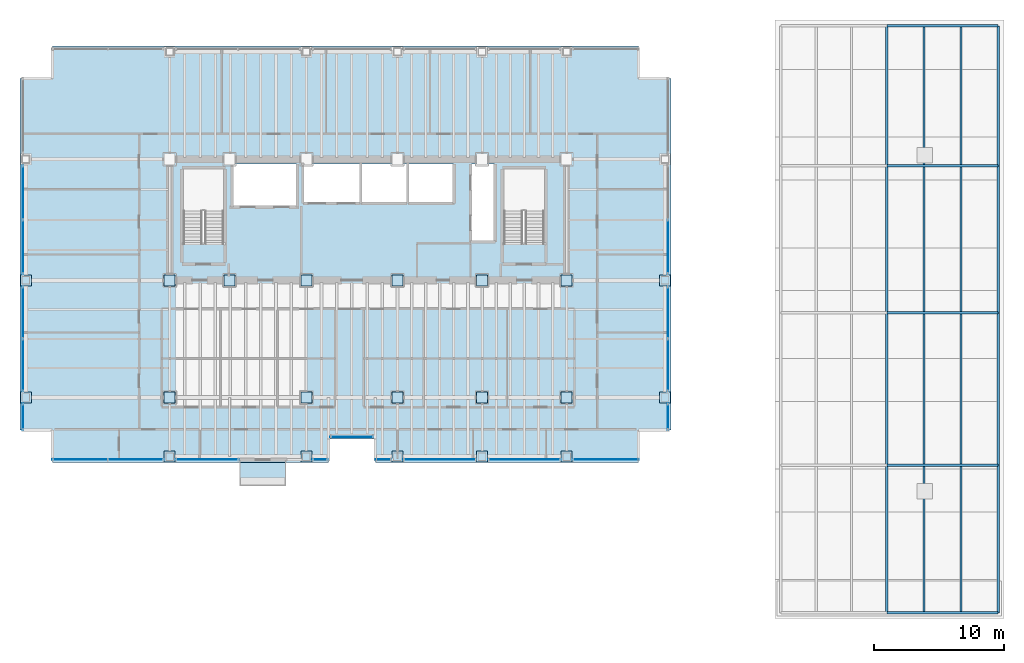
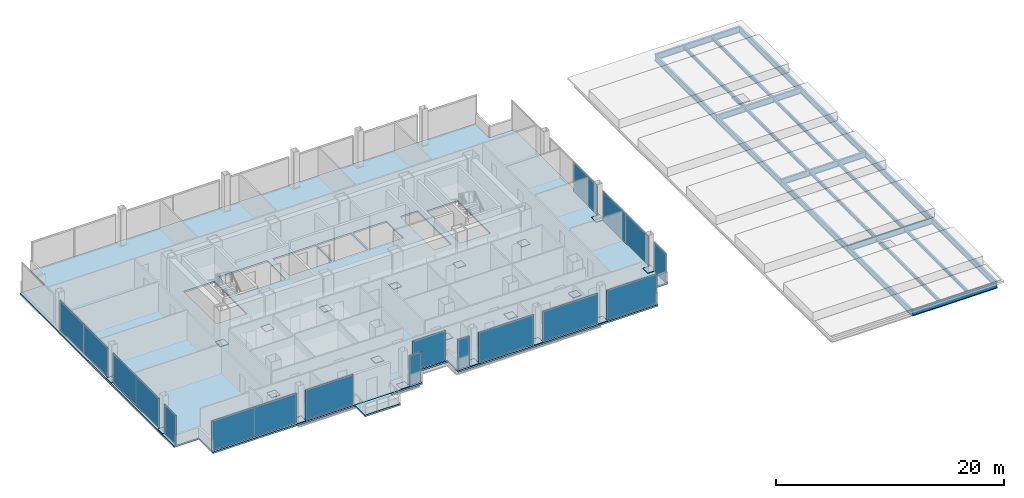
# One storey, part 23 of 30: 38 plates, 21 beams, 2 slabs, 7 openings, 14 elements without a shape of their own.
"""IFC4 building model written with IfcOpenShell, lengths in metres."""

import ifcopenshell
import ifcopenshell.guid

model = None  # the IFC model being written
_history = None  # IfcOwnerHistory: only IFC2X3 demands one
_inside = {}  # id of a spatial element -> (the spatial element, [elements in it])
_under = {}  # id of a project, library or spatial element -> (it, [spatial elements below it])
_declared = {}  # id of a project -> (the project, [libraries it declares])
_typed = {}  # id of a type object -> (the type object, [elements of that type])
_made_of = {}  # id of a material, layer set ... -> (it, [elements and type objects made of it])


def new_model(schema):
    """Start an empty IFC model of exactly this schema.

    Asked for "IFC4X3", IfcOpenShell would pick the latest addendum, in which some entities
    have other attributes; the version numbers below select the first issue.
    IFC2X3 requires an IfcOwnerHistory on every rooted entity: one is made here for all.
    """
    global model, _history
    if schema == "IFC4X3":
        model = ifcopenshell.file(schema_version=(4, 3, 0, 0))
    else:
        model = ifcopenshell.file(schema=schema)
    _inside.clear()
    _under.clear()
    _declared.clear()
    _typed.clear()
    _made_of.clear()
    _history = None
    if model.schema == "IFC2X3":
        org = make("IfcOrganization", Name="unknown")
        user = make(
            "IfcPersonAndOrganization",
            ThePerson=make("IfcPerson", FamilyName="unknown"),
            TheOrganization=org,
        )
        app = make(
            "IfcApplication",
            ApplicationDeveloper=org,
            Version="unknown",
            ApplicationFullName="unknown",
            ApplicationIdentifier="unknown",
        )
        _history = make(
            "IfcOwnerHistory",
            OwningUser=user,
            OwningApplication=app,
            ChangeAction="ADDED",
            CreationDate=0,
        )
    return model


def make(cls, **values):
    """One entity of the class cls with the attributes given. An attribute that is None is left unset."""
    return model.create_entity(
        cls, **{name: value for name, value in values.items() if value is not None}
    )


def rooted(cls, **values):
    """An entity with a GlobalId (a new one), such as an element, a storey or a relation."""
    return make(cls, GlobalId=ifcopenshell.guid.new(), OwnerHistory=_history, **values)


def si_unit(unit_type, name, prefix=None):
    """IfcSIUnit, for example si_unit("LENGTHUNIT", "METRE", prefix="MILLI")."""
    return make("IfcSIUnit", UnitType=unit_type, Prefix=prefix, Name=name)


def assignment(units):
    """IfcUnitAssignment: the units of a project."""
    return None if units is None else make("IfcUnitAssignment", Units=units)


def point(xyz):
    """IfcCartesianPoint."""
    return None if xyz is None else make("IfcCartesianPoint", Coordinates=xyz)


def direction(xyz):
    """IfcDirection."""
    return None if xyz is None else make("IfcDirection", DirectionRatios=xyz)


def frame(location, z_axis=None, x_axis=None):
    """IfcAxis2Placement3D, a coordinate frame: its origin and axes. An axis left out is left unset."""
    return make(
        "IfcAxis2Placement3D",
        Location=point(location),
        Axis=direction(z_axis),
        RefDirection=direction(x_axis),
    )


def frame_2d(location, x_axis=None):
    """IfcAxis2Placement2D, a coordinate frame in the plane: its origin and x axis."""
    return make(
        "IfcAxis2Placement2D", Location=point(location), RefDirection=direction(x_axis)
    )


def origin():
    """The frame at (0, 0, 0) with its axes left unset."""
    return frame((0.0, 0.0, 0.0))


def origin_2d():
    """The frame at (0, 0) in the plane with its x axis left unset."""
    return frame_2d((0.0, 0.0))


def place(relative_to, where):
    """IfcLocalPlacement: puts the frame where relative to a parent placement (None: the world)."""
    return make(
        "IfcLocalPlacement", PlacementRelTo=relative_to, RelativePlacement=where
    )


def context(
    kind, dimensions, precision=None, world=None, true_north=None, identifier=None
):
    """IfcGeometricRepresentationContext, for example the 3D "Model" context."""
    return make(
        "IfcGeometricRepresentationContext",
        ContextIdentifier=identifier,
        ContextType=kind,
        CoordinateSpaceDimension=dimensions,
        Precision=precision,
        WorldCoordinateSystem=world,
        TrueNorth=true_north,
    )


def subcontext(parent, identifier, kind, view, scale=None):
    """IfcGeometricRepresentationSubContext, for example "Body" below "Model"."""
    return make(
        "IfcGeometricRepresentationSubContext",
        ContextIdentifier=identifier,
        ContextType=kind,
        ParentContext=parent,
        TargetScale=scale,
        TargetView=view,
    )


def project(units=None, contexts=None):
    """IfcProject with its units and contexts."""
    return rooted(
        "IfcProject",
        Name="project",
        RepresentationContexts=contexts,
        UnitsInContext=assignment(units),
    )


def spatial(cls, under=None, at=None, **own):
    """A site, building, storey or space (cls), placed at a placement, below another one or the project."""
    s = rooted(cls, ObjectPlacement=at, **own)
    if under is not None:
        _under.setdefault(under.id(), (under, []))[1].append(s)
    return s


def polyline(points):
    """IfcPolyline through the points."""
    return make("IfcPolyline", Points=[point(p) for p in points])


def profile(cls, at=None, kind="AREA", **sizes):
    """A parametric profile (cls). Its sizes go by their IFC names, for example OverallWidth=200.0."""
    return make(cls, ProfileType=kind, Position=at, **sizes)


def rectangle(**sizes):
    """IfcRectangleProfileDef."""
    return profile("IfcRectangleProfileDef", **sizes)


def i_section(**sizes):
    """IfcIShapeProfileDef."""
    return profile("IfcIShapeProfileDef", **sizes)


def outline(outer, holes=None, kind="AREA"):
    """IfcArbitraryClosedProfileDef: a profile drawn as a closed curve; with holes, ...WithVoids."""
    if holes is None:
        return make("IfcArbitraryClosedProfileDef", ProfileType=kind, OuterCurve=outer)
    return make(
        "IfcArbitraryProfileDefWithVoids",
        ProfileType=kind,
        OuterCurve=outer,
        InnerCurves=holes,
    )


def extrude(swept, where, along, depth):
    """IfcExtrudedAreaSolid: the profile swept, set in the frame where, extruded along a direction by depth."""
    return make(
        "IfcExtrudedAreaSolid",
        SweptArea=swept,
        Position=where,
        ExtrudedDirection=direction(along),
        Depth=depth,
    )


def shape(context_of_items, identifier, shape_type, items):
    """IfcShapeRepresentation: the items that make up one representation, for example the "Body"."""
    return make(
        "IfcShapeRepresentation",
        ContextOfItems=context_of_items,
        RepresentationIdentifier=identifier,
        RepresentationType=shape_type,
        Items=items,
    )


def material(Name=None, Category=None):
    """IfcMaterial."""
    return make("IfcMaterial", Name=Name, Category=Category)


def layer(
    of_material, thickness, ventilated=None, Name=None, Category=None, Priority=None
):
    """IfcMaterialLayer: one layer of a wall or slab, of a material (None: an air gap)."""
    return make(
        "IfcMaterialLayer",
        Material=of_material,
        LayerThickness=thickness,
        IsVentilated=ventilated,
        Name=Name,
        Category=Category,
        Priority=Priority,
    )


def layer_set(layers, Name=None):
    """IfcMaterialLayerSet."""
    return make("IfcMaterialLayerSet", MaterialLayers=layers, LayerSetName=Name)


def material_profile(
    of_material, cross_section, Name=None, Category=None, Priority=None
):
    """IfcMaterialProfile: a cross section and its material."""
    return make(
        "IfcMaterialProfile",
        Name=Name,
        Material=of_material,
        Profile=cross_section,
        Priority=Priority,
        Category=Category,
    )


def profile_set(profiles, Name=None, composite=None):
    """IfcMaterialProfileSet."""
    return make(
        "IfcMaterialProfileSet",
        Name=Name,
        MaterialProfiles=profiles,
        CompositeProfile=composite,
    )


def made_of(thing, what):
    """Note that an element or type object is made of a material, layer set ...; save() writes the relation."""
    if what is not None:
        _made_of.setdefault(what.id(), (what, []))[1].append(thing)
    return thing


def type_object(cls, material=None, **own):
    """A type object (cls), such as IfcWallType, which elements share."""
    return made_of(rooted(cls, **own), material)


def element(
    cls,
    number,
    at=None,
    inside=None,
    cuts=None,
    type_object=None,
    material=None,
    context=None,
    identifier="Body",
    shape_type=None,
    held_by="IfcProductDefinitionShape",
    body=None,
    shapes=None,
    **own,
):
    """One element of the class cls, such as IfcWall. Its Tag is "e" and its number.

    at: its placement. inside: the storey or other place that contains it. cuts: it is an
    opening in that element (IfcRelVoidsElement). A single representation is given by context,
    identifier, shape_type and body (its items); several are given by shapes. held_by: the class
    of the entity that holds the representations. save() writes the other relations.
    """
    e = rooted(cls, Tag="e%d" % number, ObjectPlacement=at, **own)
    if body is not None:
        shapes = [shape(context, identifier, shape_type, body)]
    if shapes is not None:
        e.Representation = make(held_by, Representations=shapes)
    if inside is not None:
        _inside.setdefault(inside.id(), (inside, []))[1].append(e)
    if cuts is not None:
        rooted(
            "IfcRelVoidsElement", RelatingBuildingElement=cuts, RelatedOpeningElement=e
        )
    if type_object is not None:
        _typed.setdefault(type_object.id(), (type_object, []))[1].append(e)
    return made_of(e, material)


def aggregate(whole, parts):
    """IfcRelAggregates: a whole, such as a stair, and the parts it consists of."""
    return rooted("IfcRelAggregates", RelatingObject=whole, RelatedObjects=parts)


def save(model, path):
    """Write the relations noted so far, then the file.

    IfcRelAggregates (storeys below a building ...), IfcRelContainedInSpatialStructure (elements
    in a storey), IfcRelDefinesByType, IfcRelAssociatesMaterial and IfcRelDeclares: one each for
    every whole, place, type object, material and project.
    """
    for whole, parts in _under.values():
        aggregate(whole, parts)
    for where, things in _inside.values():
        rooted(
            "IfcRelContainedInSpatialStructure",
            RelatedElements=things,
            RelatingStructure=where,
        )
    for kind, things in _typed.values():
        rooted("IfcRelDefinesByType", RelatedObjects=things, RelatingType=kind)
    for what, things in _made_of.values():
        rooted("IfcRelAssociatesMaterial", RelatedObjects=things, RelatingMaterial=what)
    for by, libraries in _declared.values():
        rooted("IfcRelDeclares", RelatingContext=by, RelatedDefinitions=libraries)
    model.write(path)


model = new_model("IFC4")

# Units and contexts
model_context = context("Model", 3, precision=1e-05, world=origin(), true_north=direction((0.0, 1.0)))
body_context = subcontext(model_context, "Body", "Model", "MODEL_VIEW")
ifc_project = project(units=[si_unit("LENGTHUNIT", "METRE"), si_unit("AREAUNIT", "SQUARE_METRE"), si_unit("VOLUMEUNIT", "CUBIC_METRE"), si_unit("PLANEANGLEUNIT", "RADIAN"), si_unit("MASSUNIT", "GRAM", prefix="KILO")], contexts=[model_context])

# Site, building, storey
site_placement = place(None, origin())
site = spatial("IfcSite", under=ifc_project, at=site_placement, CompositionType="ELEMENT")
building_placement = place(site_placement, origin())
building = spatial("IfcBuilding", under=site, at=building_placement, Name="Noeulbin Bourse Tower", CompositionType="ELEMENT")
storey_placement = place(building_placement, frame((0.0, 0.0, 26.5)))
storey = spatial("IfcBuildingStorey", under=building, at=storey_placement, Name="L06", CompositionType="ELEMENT", Elevation=26.5)

# Beams
ifc_material_1 = material(Name="Steel S355", Category="steel")
ifc_material_profile_1 = material_profile(ifc_material_1, i_section(OverallWidth=0.199951171875, OverallDepth=0.64990234375, WebThickness=0.010986328125, FlangeThickness=0.01904296875, FilletRadius=0.02197265625, at=origin_2d()), Name="H-650x200x11x19", Category="LoadBearing")
ifc_profile_set_1 = profile_set([ifc_material_profile_1], Name="Steel S355")
beam_type_1 = type_object("IfcBeamType", Name="BM-GRD-650", PredefinedType="USERDEFINED", material=ifc_profile_set_1)
for number, where, z_axis, x_axis, name in (
    (1, (68.60009765625, 3.449951171875, -0.534912109375), (1.0, 0.0, 0.0), (0.0, 1.0, 0.0), "Market Hall Girder EW L06-02"),
    (2, (68.60009765625, 14.800048828125, -0.534912109375), (1.0, 0.0, 0.0), (0.0, 1.0, 0.0), "Market Hall Girder EW L06-04"),
    (3, (68.60009765625, 26.5, -0.534912109375), (1.0, 0.0, 0.0), (0.0, 1.0, 0.0), "Market Hall Girder EW L06-06"),
    (4, (68.60009765625, 37.800048828125, -0.534912109375), (1.0, 0.0, 0.0), (0.0, 1.0, 0.0), "Market Hall Girder EW L06-08"),
    (5, (68.60009765625, 48.550048828125, -0.534912109375), (1.0, 0.0, 0.0), (0.0, 1.0, 0.0), "Market Hall Girder EW L06-10"),
):
    element("IfcBeam", number, at=place(storey_placement, frame(where, z_axis=z_axis, x_axis=x_axis)), inside=storey, type_object=beam_type_1, Name=name, ObjectType="GIRDER", PredefinedType="USERDEFINED", context=body_context, shape_type="SweptSolid", body=[
        extrude(i_section(OverallWidth=0.199951171875, OverallDepth=0.64990234375, WebThickness=0.010986328125, FlangeThickness=0.01904296875, FilletRadius=0.02197265625, at=origin_2d()), origin(), (0.0, 0.0, 1.0), 8.5498046875),
    ])
beam_1_placement = place(storey_placement, frame((68.60009765625, 3.449951171875, -0.534912109375), z_axis=(0.0, 1.0, 0.0), x_axis=(-1.0, 0.0, 0.0)))
element("IfcBeam", 6, at=beam_1_placement, inside=storey, type_object=beam_type_1, Name="Market Hall Girder NS L06-15", ObjectType="GIRDER", PredefinedType="USERDEFINED", context=body_context, shape_type="SweptSolid", body=[
    extrude(i_section(OverallWidth=0.199951171875, OverallDepth=0.64990234375, WebThickness=0.010986328125, FlangeThickness=0.01904296875, FilletRadius=0.02197265625, at=origin_2d()), origin(), (0.0, 0.0, 1.0), 11.35009765625),
])
beam_2_placement = place(storey_placement, frame((68.60009765625, 14.800048828125, -0.534912109375), z_axis=(0.0, 1.0, 0.0), x_axis=(-1.0, 0.0, 0.0)))
element("IfcBeam", 7, at=beam_2_placement, inside=storey, type_object=beam_type_1, Name="Market Hall Girder NS L06-16", ObjectType="GIRDER", PredefinedType="USERDEFINED", context=body_context, shape_type="SweptSolid", body=[
    extrude(i_section(OverallWidth=0.199951171875, OverallDepth=0.64990234375, WebThickness=0.010986328125, FlangeThickness=0.01904296875, FilletRadius=0.02197265625, at=origin_2d()), origin(), (0.0, 0.0, 1.0), 11.699951171875),
])
beam_3_placement = place(storey_placement, frame((68.60009765625, 26.5, -0.534912109375), z_axis=(0.0, 1.0, 0.0), x_axis=(-1.0, 0.0, 0.0)))
element("IfcBeam", 8, at=beam_3_placement, inside=storey, type_object=beam_type_1, Name="Market Hall Girder NS L06-17", ObjectType="GIRDER", PredefinedType="USERDEFINED", context=body_context, shape_type="SweptSolid", body=[
    extrude(i_section(OverallWidth=0.199951171875, OverallDepth=0.64990234375, WebThickness=0.010986328125, FlangeThickness=0.01904296875, FilletRadius=0.02197265625, at=origin_2d()), origin(), (0.0, 0.0, 1.0), 11.300048828125),
])
beam_4_placement = place(storey_placement, frame((68.60009765625, 37.800048828125, -0.534912109375), z_axis=(0.0, 1.0, 0.0), x_axis=(-1.0, 0.0, 0.0)))
element("IfcBeam", 9, at=beam_4_placement, inside=storey, type_object=beam_type_1, Name="Market Hall Girder NS L06-18", ObjectType="GIRDER", PredefinedType="USERDEFINED", context=body_context, shape_type="SweptSolid", body=[
    extrude(i_section(OverallWidth=0.199951171875, OverallDepth=0.64990234375, WebThickness=0.010986328125, FlangeThickness=0.01904296875, FilletRadius=0.02197265625, at=origin_2d()), origin(), (0.0, 0.0, 1.0), 10.75),
])
beam_5_placement = place(storey_placement, frame((77.14990234375, 3.449951171875, -0.534912109375), z_axis=(0.0, 1.0, 0.0), x_axis=(-1.0, 0.0, 0.0)))
element("IfcBeam", 10, at=beam_5_placement, inside=storey, type_object=beam_type_1, Name="Market Hall Girder NS L06-19", ObjectType="GIRDER", PredefinedType="USERDEFINED", context=body_context, shape_type="SweptSolid", body=[
    extrude(i_section(OverallWidth=0.199951171875, OverallDepth=0.64990234375, WebThickness=0.010986328125, FlangeThickness=0.01904296875, FilletRadius=0.02197265625, at=origin_2d()), origin(), (0.0, 0.0, 1.0), 11.35009765625),
])
beam_6_placement = place(storey_placement, frame((77.14990234375, 14.800048828125, -0.534912109375), z_axis=(0.0, 1.0, 0.0), x_axis=(-1.0, 0.0, 0.0)))
element("IfcBeam", 11, at=beam_6_placement, inside=storey, type_object=beam_type_1, Name="Market Hall Girder NS L06-20", ObjectType="GIRDER", PredefinedType="USERDEFINED", context=body_context, shape_type="SweptSolid", body=[
    extrude(i_section(OverallWidth=0.199951171875, OverallDepth=0.64990234375, WebThickness=0.010986328125, FlangeThickness=0.01904296875, FilletRadius=0.02197265625, at=origin_2d()), origin(), (0.0, 0.0, 1.0), 11.699951171875),
])
beam_7_placement = place(storey_placement, frame((77.14990234375, 26.5, -0.534912109375), z_axis=(0.0, 1.0, 0.0), x_axis=(-1.0, 0.0, 0.0)))
element("IfcBeam", 12, at=beam_7_placement, inside=storey, type_object=beam_type_1, Name="Market Hall Girder NS L06-21", ObjectType="GIRDER", PredefinedType="USERDEFINED", context=body_context, shape_type="SweptSolid", body=[
    extrude(i_section(OverallWidth=0.199951171875, OverallDepth=0.64990234375, WebThickness=0.010986328125, FlangeThickness=0.01904296875, FilletRadius=0.02197265625, at=origin_2d()), origin(), (0.0, 0.0, 1.0), 11.300048828125),
])
beam_8_placement = place(storey_placement, frame((77.14990234375, 37.800048828125, -0.534912109375), z_axis=(0.0, 1.0, 0.0), x_axis=(-1.0, 0.0, 0.0)))
element("IfcBeam", 13, at=beam_8_placement, inside=storey, type_object=beam_type_1, Name="Market Hall Girder NS L06-22", ObjectType="GIRDER", PredefinedType="USERDEFINED", context=body_context, shape_type="SweptSolid", body=[
    extrude(i_section(OverallWidth=0.199951171875, OverallDepth=0.64990234375, WebThickness=0.010986328125, FlangeThickness=0.01904296875, FilletRadius=0.02197265625, at=origin_2d()), origin(), (0.0, 0.0, 1.0), 10.75),
])
ifc_material_profile_2 = material_profile(ifc_material_1, i_section(OverallWidth=0.175048828125, OverallDepth=0.35009765625, WebThickness=0.007080078125, FlangeThickness=0.010986328125, FilletRadius=0.013916015625, at=origin_2d()), Name="H-350x175x7x11", Category="LoadBearing")
ifc_profile_set_2 = profile_set([ifc_material_profile_2], Name="Steel S355")
beam_type_2 = type_object("IfcBeamType", Name="BM-JST-350", PredefinedType="JOIST", material=ifc_profile_set_2)
beam_9_placement = place(storey_placement, frame((71.449951171875, 3.550048828125, -0.385009765625), z_axis=(0.0, 1.0, 0.0), x_axis=(-1.0, 0.0, 0.0)))
element("IfcBeam", 14, at=beam_9_placement, inside=storey, type_object=beam_type_2, Name="Market Hall Secondary Joist L06-09", PredefinedType="JOIST", context=body_context, shape_type="SweptSolid", body=[
    extrude(i_section(OverallWidth=0.175048828125, OverallDepth=0.35009765625, WebThickness=0.007080078125, FlangeThickness=0.010986328125, FilletRadius=0.013916015625, at=origin_2d()), origin(), (0.0, 0.0, 1.0), 11.14990234375),
])
beam_10_placement = place(storey_placement, frame((71.449951171875, 14.89990234375, -0.385009765625), z_axis=(0.0, 1.0, 0.0), x_axis=(-1.0, 0.0, 0.0)))
element("IfcBeam", 15, at=beam_10_placement, inside=storey, type_object=beam_type_2, Name="Market Hall Secondary Joist L06-10", PredefinedType="JOIST", context=body_context, shape_type="SweptSolid", body=[
    extrude(i_section(OverallWidth=0.175048828125, OverallDepth=0.35009765625, WebThickness=0.007080078125, FlangeThickness=0.010986328125, FilletRadius=0.013916015625, at=origin_2d()), origin(), (0.0, 0.0, 1.0), 11.5),
])
beam_11_placement = place(storey_placement, frame((71.449951171875, 26.60009765625, -0.385009765625), z_axis=(0.0, 1.0, 0.0), x_axis=(-1.0, 0.0, 0.0)))
element("IfcBeam", 16, at=beam_11_placement, inside=storey, type_object=beam_type_2, Name="Market Hall Secondary Joist L06-11", PredefinedType="JOIST", context=body_context, shape_type="SweptSolid", body=[
    extrude(i_section(OverallWidth=0.175048828125, OverallDepth=0.35009765625, WebThickness=0.007080078125, FlangeThickness=0.010986328125, FilletRadius=0.013916015625, at=origin_2d()), origin(), (0.0, 0.0, 1.0), 11.099853515625),
])
beam_12_placement = place(storey_placement, frame((71.449951171875, 37.89990234375, -0.385009765625), z_axis=(0.0, 1.0, 0.0), x_axis=(-1.0, 0.0, 0.0)))
element("IfcBeam", 17, at=beam_12_placement, inside=storey, type_object=beam_type_2, Name="Market Hall Secondary Joist L06-12", PredefinedType="JOIST", context=body_context, shape_type="SweptSolid", body=[
    extrude(i_section(OverallWidth=0.175048828125, OverallDepth=0.35009765625, WebThickness=0.007080078125, FlangeThickness=0.010986328125, FilletRadius=0.013916015625, at=origin_2d()), origin(), (0.0, 0.0, 1.0), 10.550048828125),
])
beam_13_placement = place(storey_placement, frame((74.300048828125, 3.550048828125, -0.385009765625), z_axis=(0.0, 1.0, 0.0), x_axis=(-1.0, 0.0, 0.0)))
element("IfcBeam", 18, at=beam_13_placement, inside=storey, type_object=beam_type_2, Name="Market Hall Secondary Joist L06-13", PredefinedType="JOIST", context=body_context, shape_type="SweptSolid", body=[
    extrude(i_section(OverallWidth=0.175048828125, OverallDepth=0.35009765625, WebThickness=0.007080078125, FlangeThickness=0.010986328125, FilletRadius=0.013916015625, at=origin_2d()), origin(), (0.0, 0.0, 1.0), 11.14990234375),
])
beam_14_placement = place(storey_placement, frame((74.300048828125, 14.89990234375, -0.385009765625), z_axis=(0.0, 1.0, 0.0), x_axis=(-1.0, 0.0, 0.0)))
element("IfcBeam", 19, at=beam_14_placement, inside=storey, type_object=beam_type_2, Name="Market Hall Secondary Joist L06-14", PredefinedType="JOIST", context=body_context, shape_type="SweptSolid", body=[
    extrude(i_section(OverallWidth=0.175048828125, OverallDepth=0.35009765625, WebThickness=0.007080078125, FlangeThickness=0.010986328125, FilletRadius=0.013916015625, at=origin_2d()), origin(), (0.0, 0.0, 1.0), 11.5),
])
beam_15_placement = place(storey_placement, frame((74.300048828125, 26.60009765625, -0.385009765625), z_axis=(0.0, 1.0, 0.0), x_axis=(-1.0, 0.0, 0.0)))
element("IfcBeam", 20, at=beam_15_placement, inside=storey, type_object=beam_type_2, Name="Market Hall Secondary Joist L06-15", PredefinedType="JOIST", context=body_context, shape_type="SweptSolid", body=[
    extrude(i_section(OverallWidth=0.175048828125, OverallDepth=0.35009765625, WebThickness=0.007080078125, FlangeThickness=0.010986328125, FilletRadius=0.013916015625, at=origin_2d()), origin(), (0.0, 0.0, 1.0), 11.099853515625),
])
beam_16_placement = place(storey_placement, frame((74.300048828125, 37.89990234375, -0.385009765625), z_axis=(0.0, 1.0, 0.0), x_axis=(-1.0, 0.0, 0.0)))
element("IfcBeam", 21, at=beam_16_placement, inside=storey, type_object=beam_type_2, Name="Market Hall Secondary Joist L06-16", PredefinedType="JOIST", context=body_context, shape_type="SweptSolid", body=[
    extrude(i_section(OverallWidth=0.175048828125, OverallDepth=0.35009765625, WebThickness=0.007080078125, FlangeThickness=0.010986328125, FilletRadius=0.013916015625, at=origin_2d()), origin(), (0.0, 0.0, 1.0), 10.550048828125),
])

# Curtain wall, plate
ifc_material_2 = material(Name="Dark Solar-Control Double Glazing", Category="glass")
curtain_wall_type = type_object("IfcCurtainWallType", Name="CW-SYS-2", PredefinedType="NOTDEFINED", material=ifc_material_2)
curtain_wall_1_placement = place(storey_placement, origin())
curtain_wall_1 = element("IfcCurtainWall", 22, at=curtain_wall_1_placement, inside=storey, type_object=curtain_wall_type, Name="Unitised Curtain Wall CW-L06-SREC", PredefinedType="NOTDEFINED")
ifc_layer_1 = layer(ifc_material_2, 0.035888671875)
ifc_layer_set_1 = layer_set([ifc_layer_1], Name="Dark Solar-Control Double Glazing")
plate_type_1 = type_object("IfcPlateType", Name="CW-SYS-2-PNL", PredefinedType="CURTAIN_PANEL", material=ifc_layer_set_1)
plate_1_placement = place(storey_placement, frame((27.5, 16.97998046875, 0.0), z_axis=(0.0, 0.0, 1.0), x_axis=(1.0, 0.0, 0.0)))
plate_1 = element("IfcPlate", 23, at=plate_1_placement, type_object=plate_type_1, Name="Glazed Curtain Panel CW-L06-SREC-P00", PredefinedType="CURTAIN_PANEL", context=body_context, shape_type="SweptSolid", body=[
    extrude(rectangle(XDim=3.300048828125, YDim=0.035888671875, at=origin_2d()), origin(), (0.0, 0.0, 1.0), 3.179931640625),
])
aggregate(curtain_wall_1, [plate_1])

# Curtain wall, plates
curtain_wall_2_placement = place(storey_placement, origin())
curtain_wall_2 = element("IfcCurtainWall", 24, at=curtain_wall_2_placement, inside=storey, type_object=curtain_wall_type, Name="Unitised Curtain Wall CW-L06-S1-S1", PredefinedType="NOTDEFINED")
plate_2_placement = place(storey_placement, frame((6.6201171875, 15.219970703125, 0.0), z_axis=(0.0, 0.0, 1.0), x_axis=(1.0, 0.0, 0.0)))
plate_2 = element("IfcPlate", 25, at=plate_2_placement, type_object=plate_type_1, Name="Glazed Curtain Panel CW-L06-S1-S1-P00", PredefinedType="CURTAIN_PANEL", context=body_context, shape_type="SweptSolid", body=[
    extrude(rectangle(XDim=4.280029296875, YDim=0.035888671875, at=origin_2d()), origin(), (0.0, 0.0, 1.0), 3.179931640625),
])
plate_3_placement = place(storey_placement, frame((10.89990234375, 15.219970703125, 0.0), z_axis=(0.0, 0.0, 1.0), x_axis=(1.0, 0.0, 0.0)))
plate_3 = element("IfcPlate", 26, at=plate_3_placement, type_object=plate_type_1, Name="Glazed Curtain Panel CW-L06-S1-S1-P01", PredefinedType="CURTAIN_PANEL", context=body_context, shape_type="SweptSolid", body=[
    extrude(rectangle(XDim=4.280029296875, YDim=0.035888671875, at=origin_2d()), origin(), (0.0, 0.0, 1.0), 3.179931640625),
])
aggregate(curtain_wall_2, [plate_2, plate_3])

# Curtain wall, plate
curtain_wall_3_placement = place(storey_placement, origin())
curtain_wall_3 = element("IfcCurtainWall", 27, at=curtain_wall_3_placement, inside=storey, type_object=curtain_wall_type, Name="Unitised Curtain Wall CW-L06-S1-S2", PredefinedType="NOTDEFINED")
plate_4_placement = place(storey_placement, frame((16.3798828125, 15.219970703125, 0.0), z_axis=(0.0, 0.0, 1.0), x_axis=(1.0, 0.0, 0.0)))
plate_4 = element("IfcPlate", 28, at=plate_4_placement, type_object=plate_type_1, Name="Glazed Curtain Panel CW-L06-S1-S2-P00", PredefinedType="CURTAIN_PANEL", context=body_context, shape_type="SweptSolid", body=[
    extrude(rectangle(XDim=4.840087890625, YDim=0.035888671875, at=origin_2d()), origin(), (0.0, 0.0, 1.0), 3.179931640625),
])
aggregate(curtain_wall_3, [plate_4])

curtain_wall_4_placement = place(storey_placement, origin())
curtain_wall_4 = element("IfcCurtainWall", 29, at=curtain_wall_4_placement, inside=storey, type_object=curtain_wall_type, Name="Unitised Curtain Wall CW-L06-S2", PredefinedType="NOTDEFINED")
plate_5_placement = place(storey_placement, frame((25.054931640625, 15.219970703125, 0.0), z_axis=(0.0, 0.0, 1.0), x_axis=(1.0, 0.0, 0.0)))
plate_5 = element("IfcPlate", 30, at=plate_5_placement, type_object=plate_type_1, Name="Glazed Curtain Panel CW-L06-S2-P00", PredefinedType="CURTAIN_PANEL", context=body_context, shape_type="SweptSolid", body=[
    extrude(rectangle(XDim=1.18994140625, YDim=0.035888671875, at=origin_2d()), origin(), (0.0, 0.0, 1.0), 3.179931640625),
])
aggregate(curtain_wall_4, [plate_5])

curtain_wall_5_placement = place(storey_placement, origin())
curtain_wall_5 = element("IfcCurtainWall", 31, at=curtain_wall_5_placement, inside=storey, type_object=curtain_wall_type, Name="Unitised Curtain Wall CW-L06-S3-S1", PredefinedType="NOTDEFINED")
plate_6_placement = place(storey_placement, frame((29.945068359375, 15.219970703125, 0.0), z_axis=(0.0, 0.0, 1.0), x_axis=(1.0, 0.0, 0.0)))
plate_6 = element("IfcPlate", 32, at=plate_6_placement, type_object=plate_type_1, Name="Glazed Curtain Panel CW-L06-S3-S1-P00", PredefinedType="CURTAIN_PANEL", context=body_context, shape_type="SweptSolid", body=[
    extrude(rectangle(XDim=1.18994140625, YDim=0.035888671875, at=origin_2d()), origin(), (0.0, 0.0, 1.0), 3.179931640625),
])
aggregate(curtain_wall_5, [plate_6])

curtain_wall_6_placement = place(storey_placement, origin())
curtain_wall_6 = element("IfcCurtainWall", 33, at=curtain_wall_6_placement, inside=storey, type_object=curtain_wall_type, Name="Unitised Curtain Wall CW-L06-S3-S2", PredefinedType="NOTDEFINED")
plate_7_placement = place(storey_placement, frame((34.25, 15.219970703125, 0.0), z_axis=(0.0, 0.0, 1.0), x_axis=(1.0, 0.0, 0.0)))
plate_7 = element("IfcPlate", 34, at=plate_7_placement, type_object=plate_type_1, Name="Glazed Curtain Panel CW-L06-S3-S2-P00", PredefinedType="CURTAIN_PANEL", context=body_context, shape_type="SweptSolid", body=[
    extrude(rectangle(XDim=5.580078125, YDim=0.035888671875, at=origin_2d()), origin(), (0.0, 0.0, 1.0), 3.179931640625),
])
aggregate(curtain_wall_6, [plate_7])

curtain_wall_7_placement = place(storey_placement, origin())
curtain_wall_7 = element("IfcCurtainWall", 35, at=curtain_wall_7_placement, inside=storey, type_object=curtain_wall_type, Name="Unitised Curtain Wall CW-L06-S3-S3", PredefinedType="NOTDEFINED")
plate_8_placement = place(storey_placement, frame((40.75, 15.219970703125, 0.0), z_axis=(0.0, 0.0, 1.0), x_axis=(1.0, 0.0, 0.0)))
plate_8 = element("IfcPlate", 36, at=plate_8_placement, type_object=plate_type_1, Name="Glazed Curtain Panel CW-L06-S3-S3-P00", PredefinedType="CURTAIN_PANEL", context=body_context, shape_type="SweptSolid", body=[
    extrude(rectangle(XDim=5.580078125, YDim=0.035888671875, at=origin_2d()), origin(), (0.0, 0.0, 1.0), 3.179931640625),
])
aggregate(curtain_wall_7, [plate_8])

curtain_wall_8_placement = place(storey_placement, origin())
curtain_wall_8 = element("IfcCurtainWall", 37, at=curtain_wall_8_placement, inside=storey, type_object=curtain_wall_type, Name="Unitised Curtain Wall CW-L06-S3-S4", PredefinedType="NOTDEFINED")
plate_9_placement = place(storey_placement, frame((46.989990234375, 15.219970703125, 0.0), z_axis=(0.0, 0.0, 1.0), x_axis=(1.0, 0.0, 0.0)))
plate_9 = element("IfcPlate", 38, at=plate_9_placement, type_object=plate_type_1, Name="Glazed Curtain Panel CW-L06-S3-S4-P00", PredefinedType="CURTAIN_PANEL", context=body_context, shape_type="SweptSolid", body=[
    extrude(rectangle(XDim=5.06005859375, YDim=0.035888671875, at=origin_2d()), origin(), (0.0, 0.0, 1.0), 3.179931640625),
])
aggregate(curtain_wall_8, [plate_9])

curtain_wall_9_placement = place(storey_placement, origin())
curtain_wall_9 = element("IfcCurtainWall", 39, at=curtain_wall_9_placement, inside=storey, type_object=curtain_wall_type, Name="Unitised Curtain Wall CW-L06-W-S1", PredefinedType="NOTDEFINED")
plate_10_placement = place(storey_placement, frame((2.219970703125, 18.510009765625, 0.0), z_axis=(0.0, 0.0, 1.0), x_axis=(0.0, 1.0, 0.0)))
plate_10 = element("IfcPlate", 40, at=plate_10_placement, type_object=plate_type_1, Name="Glazed Curtain Panel CW-L06-W-S1-P00", PredefinedType="CURTAIN_PANEL", context=body_context, shape_type="SweptSolid", body=[
    extrude(rectangle(XDim=2.06005859375, YDim=0.035888671875, at=origin_2d()), origin(), (0.0, 0.0, 1.0), 3.179931640625),
])
aggregate(curtain_wall_9, [plate_10])

# Curtain wall, plates
curtain_wall_10_placement = place(storey_placement, origin())
curtain_wall_10 = element("IfcCurtainWall", 41, at=curtain_wall_10_placement, inside=storey, type_object=curtain_wall_type, Name="Unitised Curtain Wall CW-L06-W-S2", PredefinedType="NOTDEFINED")
plate_11_placement = place(storey_placement, frame((2.219970703125, 22.47998046875, 0.0), z_axis=(0.0, 0.0, 1.0), x_axis=(0.0, 1.0, 0.0)))
plate_11 = element("IfcPlate", 42, at=plate_11_placement, type_object=plate_type_1, Name="Glazed Curtain Panel CW-L06-W-S2-P00", PredefinedType="CURTAIN_PANEL", context=body_context, shape_type="SweptSolid", body=[
    extrude(rectangle(XDim=4.0400390625, YDim=0.035888671875, at=origin_2d()), origin(), (0.0, 0.0, 1.0), 3.179931640625),
])
plate_12_placement = place(storey_placement, frame((2.219970703125, 26.52001953125, 0.0), z_axis=(0.0, 0.0, 1.0), x_axis=(0.0, 1.0, 0.0)))
plate_12 = element("IfcPlate", 43, at=plate_12_placement, type_object=plate_type_1, Name="Glazed Curtain Panel CW-L06-W-S2-P01", PredefinedType="CURTAIN_PANEL", context=body_context, shape_type="SweptSolid", body=[
    extrude(rectangle(XDim=4.0400390625, YDim=0.035888671875, at=origin_2d()), origin(), (0.0, 0.0, 1.0), 3.179931640625),
])
aggregate(curtain_wall_10, [plate_11, plate_12])

curtain_wall_11_placement = place(storey_placement, origin())
curtain_wall_11 = element("IfcCurtainWall", 44, at=curtain_wall_11_placement, inside=storey, type_object=curtain_wall_type, Name="Unitised Curtain Wall CW-L06-W-S3", PredefinedType="NOTDEFINED")
plate_13_placement = place(storey_placement, frame((2.219970703125, 31.554931640625, 0.0), z_axis=(0.0, 0.0, 1.0), x_axis=(0.0, 1.0, 0.0)))
plate_13 = element("IfcPlate", 45, at=plate_13_placement, type_object=plate_type_1, Name="Glazed Curtain Panel CW-L06-W-S3-P00", PredefinedType="CURTAIN_PANEL", context=body_context, shape_type="SweptSolid", body=[
    extrude(rectangle(XDim=4.18994140625, YDim=0.035888671875, at=origin_2d()), origin(), (0.0, 0.0, 1.0), 3.179931640625),
])
plate_14_placement = place(storey_placement, frame((2.219970703125, 35.7451171875, 0.0), z_axis=(0.0, 0.0, 1.0), x_axis=(0.0, 1.0, 0.0)))
plate_14 = element("IfcPlate", 46, at=plate_14_placement, type_object=plate_type_1, Name="Glazed Curtain Panel CW-L06-W-S3-P01", PredefinedType="CURTAIN_PANEL", context=body_context, shape_type="SweptSolid", body=[
    extrude(rectangle(XDim=4.18994140625, YDim=0.035888671875, at=origin_2d()), origin(), (0.0, 0.0, 1.0), 3.179931640625),
])
aggregate(curtain_wall_11, [plate_13, plate_14])

# Curtain wall, plate
curtain_wall_12_placement = place(storey_placement, origin())
curtain_wall_12 = element("IfcCurtainWall", 47, at=curtain_wall_12_placement, inside=storey, type_object=curtain_wall_type, Name="Unitised Curtain Wall CW-L06-E-S1", PredefinedType="NOTDEFINED")
plate_15_placement = place(storey_placement, frame((51.780029296875, 18.510009765625, 0.0), z_axis=(0.0, 0.0, 1.0), x_axis=(0.0, 1.0, 0.0)))
plate_15 = element("IfcPlate", 48, at=plate_15_placement, type_object=plate_type_1, Name="Glazed Curtain Panel CW-L06-E-S1-P00", PredefinedType="CURTAIN_PANEL", context=body_context, shape_type="SweptSolid", body=[
    extrude(rectangle(XDim=2.06005859375, YDim=0.035888671875, at=origin_2d()), origin(), (0.0, 0.0, 1.0), 3.179931640625),
])
aggregate(curtain_wall_12, [plate_15])

# Curtain wall, plates
curtain_wall_13_placement = place(storey_placement, origin())
curtain_wall_13 = element("IfcCurtainWall", 49, at=curtain_wall_13_placement, inside=storey, type_object=curtain_wall_type, Name="Unitised Curtain Wall CW-L06-E-S2", PredefinedType="NOTDEFINED")
plate_16_placement = place(storey_placement, frame((51.780029296875, 22.47998046875, 0.0), z_axis=(0.0, 0.0, 1.0), x_axis=(0.0, 1.0, 0.0)))
plate_16 = element("IfcPlate", 50, at=plate_16_placement, type_object=plate_type_1, Name="Glazed Curtain Panel CW-L06-E-S2-P00", PredefinedType="CURTAIN_PANEL", context=body_context, shape_type="SweptSolid", body=[
    extrude(rectangle(XDim=4.0400390625, YDim=0.035888671875, at=origin_2d()), origin(), (0.0, 0.0, 1.0), 3.179931640625),
])
plate_17_placement = place(storey_placement, frame((51.780029296875, 26.52001953125, 0.0), z_axis=(0.0, 0.0, 1.0), x_axis=(0.0, 1.0, 0.0)))
plate_17 = element("IfcPlate", 51, at=plate_17_placement, type_object=plate_type_1, Name="Glazed Curtain Panel CW-L06-E-S2-P01", PredefinedType="CURTAIN_PANEL", context=body_context, shape_type="SweptSolid", body=[
    extrude(rectangle(XDim=4.0400390625, YDim=0.035888671875, at=origin_2d()), origin(), (0.0, 0.0, 1.0), 3.179931640625),
])
aggregate(curtain_wall_13, [plate_16, plate_17])

# Curtain wall, plate
curtain_wall_14_placement = place(storey_placement, origin())
curtain_wall_14 = element("IfcCurtainWall", 52, at=curtain_wall_14_placement, inside=storey, type_object=curtain_wall_type, Name="Unitised Curtain Wall CW-L06-E-S3", PredefinedType="NOTDEFINED")
plate_18_placement = place(storey_placement, frame((51.780029296875, 31.554931640625, 0.0), z_axis=(0.0, 0.0, 1.0), x_axis=(0.0, 1.0, 0.0)))
plate_18 = element("IfcPlate", 53, at=plate_18_placement, type_object=plate_type_1, Name="Glazed Curtain Panel CW-L06-E-S3-P00", PredefinedType="CURTAIN_PANEL", context=body_context, shape_type="SweptSolid", body=[
    extrude(rectangle(XDim=4.18994140625, YDim=0.035888671875, at=origin_2d()), origin(), (0.0, 0.0, 1.0), 3.179931640625),
])
aggregate(curtain_wall_14, [plate_18])

# Plates
ifc_layer_2 = layer(ifc_material_1, 0.030029296875)
ifc_layer_set_2 = layer_set([ifc_layer_2], Name="Steel S355")
plate_type_2 = type_object("IfcPlateType", Name="PLT-BN1", PredefinedType="USERDEFINED", material=ifc_layer_set_2)
for number, where, z_axis, x_axis, name in (
    (54, (13.5, 29.0, 0.0048828125), (0.0, 0.0, 1.0), (1.0, 0.0, 0.0), "Mega-Column Splice Plate BN1-L06-01"),
    (55, (18.10009765625, 29.0, 0.0048828125), (0.0, 0.0, 1.0), (1.0, 0.0, 0.0), "Mega-Column Splice Plate BN1-L06-03"),
    (56, (24.0, 29.0, 0.0048828125), (0.0, 0.0, 1.0), (1.0, 0.0, 0.0), "Mega-Column Splice Plate BN1-L06-05"),
    (57, (31.0, 29.0, 0.0048828125), (0.0, 0.0, 1.0), (1.0, 0.0, 0.0), "Mega-Column Splice Plate BN1-L06-07"),
    (58, (37.5, 29.0, 0.0048828125), (0.0, 0.0, 1.0), (1.0, 0.0, 0.0), "Mega-Column Splice Plate BN1-L06-09"),
    (59, (44.0, 29.0, 0.0048828125), (0.0, 0.0, 1.0), (1.0, 0.0, 0.0), "Mega-Column Splice Plate BN1-L06-11"),
    (60, (13.5, 20.0, 0.0048828125), (0.0, 0.0, 1.0), (1.0, 0.0, 0.0), "Mega-Column Splice Plate BN1-L06-13"),
    (61, (24.0, 20.0, 0.0048828125), (0.0, 0.0, 1.0), (1.0, 0.0, 0.0), "Mega-Column Splice Plate BN1-L06-14"),
    (62, (31.0, 20.0, 0.0048828125), (0.0, 0.0, 1.0), (1.0, 0.0, 0.0), "Mega-Column Splice Plate BN1-L06-15"),
    (63, (37.5, 20.0, 0.0048828125), (0.0, 0.0, 1.0), (1.0, 0.0, 0.0), "Mega-Column Splice Plate BN1-L06-16"),
    (64, (44.0, 20.0, 0.0048828125), (0.0, 0.0, 1.0), (1.0, 0.0, 0.0), "Mega-Column Splice Plate BN1-L06-17"),
    (65, (2.449951171875, 20.0, 0.0048828125), (0.0, 0.0, 1.0), (1.0, 0.0, 0.0), "Perimeter Column Splice Plate BN1-L06-01"),
    (66, (2.449951171875, 29.0, 0.0048828125), (0.0, 0.0, 1.0), (1.0, 0.0, 0.0), "Perimeter Column Splice Plate BN1-L06-02"),
    (67, (13.5, 15.449951171875, 0.0048828125), (0.0, 0.0, 1.0), (1.0, 0.0, 0.0), "Perimeter Column Splice Plate BN1-L06-04"),
    (68, (24.0, 15.449951171875, 0.0048828125), (0.0, 0.0, 1.0), (1.0, 0.0, 0.0), "Perimeter Column Splice Plate BN1-L06-06"),
    (69, (31.0, 15.449951171875, 0.0048828125), (0.0, 0.0, 1.0), (1.0, 0.0, 0.0), "Perimeter Column Splice Plate BN1-L06-08"),
    (70, (37.5, 15.449951171875, 0.0048828125), (0.0, 0.0, 1.0), (1.0, 0.0, 0.0), "Perimeter Column Splice Plate BN1-L06-10"),
    (71, (44.0, 15.449951171875, 0.0048828125), (0.0, 0.0, 1.0), (1.0, 0.0, 0.0), "Perimeter Column Splice Plate BN1-L06-12"),
    (72, (51.550048828125, 20.0, 0.0048828125), (0.0, 0.0, 1.0), (1.0, 0.0, 0.0), "Perimeter Column Splice Plate BN1-L06-14"),
    (73, (51.550048828125, 29.0, 0.0048828125), (0.0, 0.0, 1.0), (1.0, 0.0, 0.0), "Perimeter Column Splice Plate BN1-L06-15"),
):
    element("IfcPlate", number, at=place(storey_placement, frame(where, z_axis=z_axis, x_axis=x_axis)), inside=storey, type_object=plate_type_2, Name=name, ObjectType="SPLICE PLATE", PredefinedType="USERDEFINED", context=body_context, shape_type="SweptSolid", body=[
        extrude(rectangle(XDim=0.85009765625, YDim=0.85009765625, at=origin_2d()), origin(), (0.0, 0.0, 1.0), 0.030029296875),
    ])

# Slab, openings
ifc_material_3 = material(Name="Concrete C40/50", Category="concrete")
ifc_layer_3 = layer(ifc_material_3, 0.179931640625)
ifc_layer_set_3 = layer_set([ifc_layer_3], Name="Concrete C40/50")
slab_type = type_object("IfcSlabType", Name="SLB-TYP-180", PredefinedType="FLOOR", material=ifc_layer_set_3)
slab_1_placement = place(storey_placement, frame((0.0, 0.0, -0.179931640625)))
slab_1 = element("IfcSlab", 74, at=slab_1_placement, inside=storey, type_object=slab_type, Name="Tower Structural Floor Slab L06", PredefinedType="FLOOR", context=body_context, shape_type="SweptSolid", body=[
    extrude(outline(polyline([(4.5, 15.0), (25.699951171875, 15.0), (25.699951171875, 16.800048828125), (29.300048828125, 16.800048828125), (29.300048828125, 15.0), (49.5, 15.0), (49.5, 17.5), (52.0, 17.5), (52.0, 44.5), (49.5, 44.5), (49.5, 47.0), (4.5, 47.0), (4.5, 44.5), (2.0, 44.5), (2.0, 17.5), (4.5, 17.5), (4.5, 15.0)]), holes=[polyline([(17.64990234375, 31.81005859375), (17.64990234375, 37.5439453125), (14.550048828125, 37.5439453125), (14.550048828125, 31.81005859375), (17.64990234375, 31.81005859375)]), polyline([(42.280029296875, 31.81005859375), (42.280029296875, 37.5439453125), (39.179931640625, 37.5439453125), (39.179931640625, 31.81005859375), (42.280029296875, 31.81005859375)]), polyline([(18.35009765625, 34.699951171875), (23.25, 34.699951171875), (23.25, 37.949951171875), (18.35009765625, 37.949951171875), (18.35009765625, 34.699951171875)]), polyline([(36.699951171875, 32.050048828125), (38.449951171875, 32.050048828125), (38.449951171875, 37.949951171875), (36.699951171875, 37.949951171875), (36.699951171875, 32.050048828125)]), polyline([(23.800048828125, 35.0), (28.10009765625, 35.0), (28.10009765625, 37.949951171875), (23.800048828125, 37.949951171875), (23.800048828125, 35.0)]), polyline([(28.25, 35.0), (31.699951171875, 35.0), (31.699951171875, 37.949951171875), (28.25, 37.949951171875), (28.25, 35.0)]), polyline([(31.85009765625, 35.0), (35.300048828125, 35.0), (35.300048828125, 37.949951171875), (31.85009765625, 37.949951171875), (31.85009765625, 35.0)])]), origin(), (0.0, 0.0, 1.0), 0.179931640625),
])
opening_1_placement = place(slab_1_placement, frame((0.0, 0.0, -0.010009765625)))
element("IfcOpeningElement", 75, at=opening_1_placement, cuts=slab_1, Name="Slab Shaft Opening SLB-L06-TWR-1", PredefinedType="OPENING", context=body_context, shape_type="SweptSolid", body=[
    extrude(outline(polyline([(17.64990234375, 31.81005859375), (17.64990234375, 37.5439453125), (14.550048828125, 37.5439453125), (14.550048828125, 31.81005859375), (17.64990234375, 31.81005859375)])), origin(), (0.0, 0.0, 1.0), 0.199951171875),
])
opening_2_placement = place(slab_1_placement, frame((0.0, 0.0, -0.010009765625)))
element("IfcOpeningElement", 76, at=opening_2_placement, cuts=slab_1, Name="Slab Shaft Opening SLB-L06-TWR-2", PredefinedType="OPENING", context=body_context, shape_type="SweptSolid", body=[
    extrude(outline(polyline([(42.280029296875, 31.81005859375), (42.280029296875, 37.5439453125), (39.179931640625, 37.5439453125), (39.179931640625, 31.81005859375), (42.280029296875, 31.81005859375)])), origin(), (0.0, 0.0, 1.0), 0.199951171875),
])
opening_3_placement = place(slab_1_placement, frame((0.0, 0.0, -0.010009765625)))
element("IfcOpeningElement", 77, at=opening_3_placement, cuts=slab_1, Name="Slab Shaft Opening SLB-L06-TWR-3", PredefinedType="OPENING", context=body_context, shape_type="SweptSolid", body=[
    extrude(outline(polyline([(18.35009765625, 34.699951171875), (23.25, 34.699951171875), (23.25, 37.949951171875), (18.35009765625, 37.949951171875), (18.35009765625, 34.699951171875)])), origin(), (0.0, 0.0, 1.0), 0.199951171875),
])
opening_4_placement = place(slab_1_placement, frame((0.0, 0.0, -0.010009765625)))
element("IfcOpeningElement", 78, at=opening_4_placement, cuts=slab_1, Name="Slab Shaft Opening SLB-L06-TWR-4", PredefinedType="OPENING", context=body_context, shape_type="SweptSolid", body=[
    extrude(outline(polyline([(36.699951171875, 32.050048828125), (38.449951171875, 32.050048828125), (38.449951171875, 37.949951171875), (36.699951171875, 37.949951171875), (36.699951171875, 32.050048828125)])), origin(), (0.0, 0.0, 1.0), 0.199951171875),
])
opening_5_placement = place(slab_1_placement, frame((0.0, 0.0, -0.010009765625)))
element("IfcOpeningElement", 79, at=opening_5_placement, cuts=slab_1, Name="Slab Shaft Opening SLB-L06-TWR-5", PredefinedType="OPENING", context=body_context, shape_type="SweptSolid", body=[
    extrude(outline(polyline([(23.800048828125, 35.0), (28.10009765625, 35.0), (28.10009765625, 37.949951171875), (23.800048828125, 37.949951171875), (23.800048828125, 35.0)])), origin(), (0.0, 0.0, 1.0), 0.199951171875),
])
opening_6_placement = place(slab_1_placement, frame((0.0, 0.0, -0.010009765625)))
element("IfcOpeningElement", 80, at=opening_6_placement, cuts=slab_1, Name="Slab Shaft Opening SLB-L06-TWR-6", PredefinedType="OPENING", context=body_context, shape_type="SweptSolid", body=[
    extrude(outline(polyline([(28.25, 35.0), (31.699951171875, 35.0), (31.699951171875, 37.949951171875), (28.25, 37.949951171875), (28.25, 35.0)])), origin(), (0.0, 0.0, 1.0), 0.199951171875),
])
opening_7_placement = place(slab_1_placement, frame((0.0, 0.0, -0.010009765625)))
element("IfcOpeningElement", 81, at=opening_7_placement, cuts=slab_1, Name="Slab Shaft Opening SLB-L06-TWR-7", PredefinedType="OPENING", context=body_context, shape_type="SweptSolid", body=[
    extrude(outline(polyline([(31.85009765625, 35.0), (35.300048828125, 35.0), (35.300048828125, 37.949951171875), (31.85009765625, 37.949951171875), (31.85009765625, 35.0)])), origin(), (0.0, 0.0, 1.0), 0.199951171875),
])

# Slab
slab_2_placement = place(storey_placement, frame((0.0, 0.0, -0.179931640625)))
element("IfcSlab", 82, at=slab_2_placement, inside=storey, type_object=slab_type, Name="Cantilevered Tree-Balcony Slab L06", PredefinedType="FLOOR", context=body_context, shape_type="SweptSolid", body=[
    extrude(outline(polyline([(18.85009765625, 13.199951171875), (22.449951171875, 13.199951171875), (22.449951171875, 15.0), (18.85009765625, 15.0), (18.85009765625, 13.199951171875)])), origin(), (0.0, 0.0, 1.0), 0.179931640625),
])

save(model, "model.ifc")
